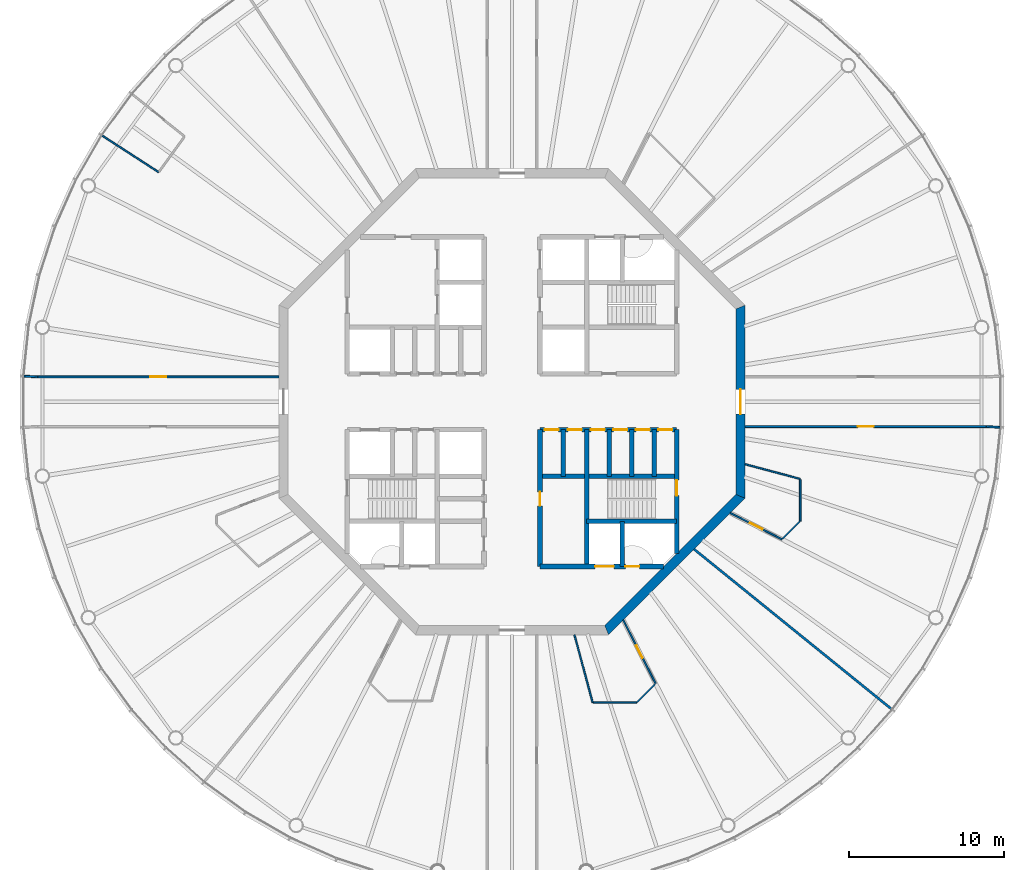
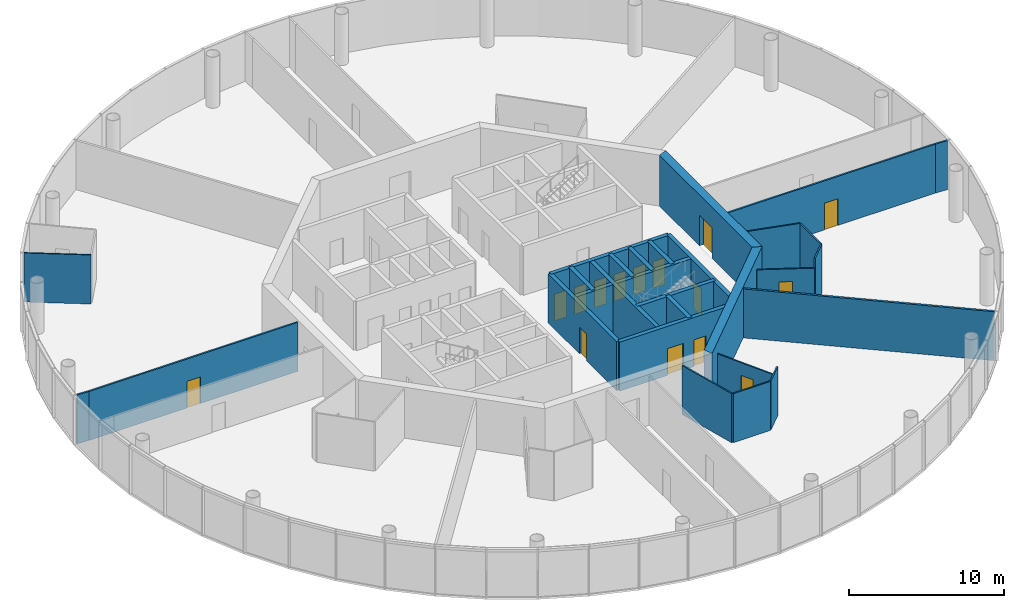
# One storey, part 4 of 13: 28 walls, 15 doors, 15 openings.
"""IFC4 building model written with IfcOpenShell, lengths in metres."""

from ifc_helpers import new_model, si_unit, direction, frame, frame_2d, origin, place, context, subcontext, project, spatial, polyline, rectangle, outline, extrude, material, layer, layer_set, type_object, element, fill, save


model = new_model("IFC4")

# Units and contexts
model_context = context("Model", 3, precision=1e-05, world=origin(), true_north=direction((0.0, 1.0)))
body_context = subcontext(model_context, "Body", "Model", "MODEL_VIEW")
ifc_project = project(units=[si_unit("LENGTHUNIT", "METRE"), si_unit("AREAUNIT", "SQUARE_METRE"), si_unit("VOLUMEUNIT", "CUBIC_METRE"), si_unit("PLANEANGLEUNIT", "RADIAN"), si_unit("MASSUNIT", "GRAM", prefix="KILO")], contexts=[model_context])

# Site, building, storey
site_placement = place(None, origin())
site = spatial("IfcSite", under=ifc_project, at=site_placement, CompositionType="ELEMENT")
building_placement = place(site_placement, origin())
building = spatial("IfcBuilding", under=site, at=building_placement, Name="Entoto Ring Tower", CompositionType="ELEMENT")
storey_placement = place(building_placement, frame((0.0, 0.0, 360.0)))
storey = spatial("IfcBuildingStorey", under=building, at=storey_placement, Name="L83", CompositionType="ELEMENT", Elevation=360.0)

# Wall, opening, door
ifc_material_1 = material(Name="Concrete C40/50", Category="concrete")
ifc_layer_1 = layer(ifc_material_1, 0.300048828125)
ifc_layer_set_1 = layer_set([ifc_layer_1], Name="Concrete C40/50")
wall_type_1 = type_object("IfcWallType", Name="Core enclosure wall 300 mm reinforced concrete", PredefinedType="SOLIDWALL", material=ifc_layer_set_1)
wall_1_placement = place(storey_placement, frame((100.60009765625, 70.2353515625, 0.0), z_axis=(0.0, 0.0, 1.0), x_axis=(0.0, 1.0, 0.0)))
wall_1 = element("IfcWall", 1, at=wall_1_placement, inside=storey, type_object=wall_type_1, Name="wall-L83-001", PredefinedType="SOLIDWALL", context=body_context, shape_type="SweptSolid", body=[
    extrude(rectangle(XDim=7.964599609375, YDim=0.300048828125, at=frame_2d((3.982421875, 0.0))), origin(), (0.0, 0.0, 1.0), 3.85009765625),
])
opening_1_placement = place(wall_1_placement, frame((3.714599609375, 0.0, 0.0)))
opening_1 = element("IfcOpeningElement", 2, at=opening_1_placement, cuts=wall_1, Name="Opening K-31", PredefinedType="OPENING", context=body_context, shape_type="SweptSolid", body=[
    extrude(rectangle(XDim=1.0, YDim=2.10009765625, at=frame_2d((0.5, 1.050048828125))), frame((0.0, 0.16015625, 0.0), z_axis=(0.0, -1.0, 0.0), x_axis=(1.0, 0.0, 0.0)), (0.0, 0.0, 1.0), 0.320068359375),
])
ifc_material_2 = material(Name="Steel door leaf, fire rated", Category="steel")
ifc_layer_2 = layer(ifc_material_2, 0.050048828125)
ifc_layer_set_2 = layer_set([ifc_layer_2], Name="Steel door leaf, fire rated")
door_type_1 = type_object("IfcDoorType", Name="Fire door FD60 1000 x 2100 single leaf", OperationType="NOTDEFINED", PredefinedType="DOOR", material=ifc_layer_set_2)
door_1_placement = place(opening_1_placement, origin())
door_1 = element("IfcDoor", 3, at=door_1_placement, inside=storey, type_object=door_type_1, Name="Door K-31", OperationType="SINGLE_SWING_RIGHT", OverallHeight=2.10009765625, OverallWidth=1.0, PredefinedType="DOOR", context=body_context, shape_type="SweptSolid", body=[
    extrude(rectangle(XDim=1.0, YDim=2.10009765625, at=frame_2d((0.5, 1.050048828125))), frame((0.0, 0.02490234375, 0.0), z_axis=(0.0, -1.0, 0.0), x_axis=(1.0, 0.0, 0.0)), (0.0, 0.0, 1.0), 0.050048828125),
])
fill(opening_1, door_1)

# Walls
for number, where, z_axis, x_axis, name in (
    (4, (99.14990234375, 75.199951171875, 0.0), (0.0, 0.0, 1.0), (0.0, 1.0, 0.0), "wall-L83-003"),
    (5, (97.699951171875, 75.199951171875, 0.0), (0.0, 0.0, 1.0), (0.0, 1.0, 0.0), "wall-L83-004"),
):
    element("IfcWall", number, at=place(storey_placement, frame(where, z_axis=z_axis, x_axis=x_axis)), inside=storey, type_object=wall_type_1, Name=name, PredefinedType="SOLIDWALL", context=body_context, shape_type="SweptSolid", body=[
        extrude(rectangle(XDim=3.0, YDim=0.300048828125, at=frame_2d((1.5, 0.0))), origin(), (0.0, 0.0, 1.0), 3.85009765625),
    ])
wall_2_placement = place(storey_placement, frame((97.10009765625, 69.39990234375, 0.0), z_axis=(0.0, 0.0, 1.0), x_axis=(0.0, 1.0, 0.0)))
element("IfcWall", 6, at=wall_2_placement, inside=storey, type_object=wall_type_1, Name="wall-L83-005", PredefinedType="SOLIDWALL", context=body_context, shape_type="SweptSolid", body=[
    extrude(rectangle(XDim=2.900146484375, YDim=0.300048828125, at=frame_2d((1.4501953125, 0.0))), origin(), (0.0, 0.0, 1.0), 3.85009765625),
])
wall_3_placement = place(storey_placement, frame((96.25, 75.199951171875, 0.0), z_axis=(0.0, 0.0, 1.0), x_axis=(0.0, 1.0, 0.0)))
element("IfcWall", 7, at=wall_3_placement, inside=storey, type_object=wall_type_1, Name="wall-L83-007", PredefinedType="SOLIDWALL", context=body_context, shape_type="SweptSolid", body=[
    extrude(rectangle(XDim=3.0, YDim=0.300048828125, at=frame_2d((1.5, 0.0))), origin(), (0.0, 0.0, 1.0), 3.85009765625),
])
wall_4_placement = place(storey_placement, frame((94.800048828125, 69.39990234375, 0.0), z_axis=(0.0, 0.0, 1.0), x_axis=(0.0, 1.0, 0.0)))
element("IfcWall", 8, at=wall_4_placement, inside=storey, type_object=wall_type_1, Name="wall-L83-008", PredefinedType="SOLIDWALL", context=body_context, shape_type="SweptSolid", body=[
    extrude(rectangle(XDim=8.800048828125, YDim=0.300048828125, at=frame_2d((4.39990234375, 0.0))), origin(), (0.0, 0.0, 1.0), 3.85009765625),
])
wall_5_placement = place(storey_placement, frame((93.300048828125, 75.199951171875, 0.0), z_axis=(0.0, 0.0, 1.0), x_axis=(0.0, 1.0, 0.0)))
element("IfcWall", 9, at=wall_5_placement, inside=storey, type_object=wall_type_1, Name="wall-L83-010", PredefinedType="SOLIDWALL", context=body_context, shape_type="SweptSolid", body=[
    extrude(rectangle(XDim=3.0, YDim=0.300048828125, at=frame_2d((1.5, 0.0))), origin(), (0.0, 0.0, 1.0), 3.85009765625),
])

# Wall, opening, door
wall_6_placement = place(storey_placement, frame((91.800048828125, 69.39990234375, 0.0), z_axis=(0.0, 0.0, 1.0), x_axis=(0.0, 1.0, 0.0)))
wall_6 = element("IfcWall", 10, at=wall_6_placement, inside=storey, type_object=wall_type_1, Name="wall-L83-011", PredefinedType="SOLIDWALL", context=body_context, shape_type="SweptSolid", body=[
    extrude(rectangle(XDim=8.800048828125, YDim=0.300048828125, at=frame_2d((4.39990234375, 0.0))), origin(), (0.0, 0.0, 1.0), 3.85009765625),
])
opening_2_placement = place(wall_6_placement, frame((3.89990234375, 0.0, 0.0)))
opening_2 = element("IfcOpeningElement", 11, at=opening_2_placement, cuts=wall_6, Name="Opening K-21", PredefinedType="OPENING", context=body_context, shape_type="SweptSolid", body=[
    extrude(rectangle(XDim=0.89990234375, YDim=2.10009765625, at=frame_2d((0.449951171875, 1.050048828125))), frame((0.0, 0.16015625, 0.0), z_axis=(0.0, -1.0, 0.0), x_axis=(1.0, 0.0, 0.0)), (0.0, 0.0, 1.0), 0.320068359375),
])
ifc_material_3 = material(Name="Steel door leaf, fire rated", Category="steel")
ifc_layer_3 = layer(ifc_material_3, 0.050048828125)
ifc_layer_set_3 = layer_set([ifc_layer_3], Name="Steel door leaf, fire rated")
door_type_2 = type_object("IfcDoorType", Name="Core door 900 x 2100 single leaf", OperationType="NOTDEFINED", PredefinedType="DOOR", material=ifc_layer_set_3)
door_2_placement = place(opening_2_placement, frame((0.89990234375, 0.0, 0.0), z_axis=(0.0, 0.0, 1.0), x_axis=(-1.0, 0.0, 0.0)))
door_2 = element("IfcDoor", 12, at=door_2_placement, inside=storey, type_object=door_type_2, Name="Door K-21", OperationType="SINGLE_SWING_LEFT", OverallHeight=2.10009765625, OverallWidth=0.89990234375, PredefinedType="DOOR", context=body_context, shape_type="SweptSolid", body=[
    extrude(rectangle(XDim=0.89990234375, YDim=2.10009765625, at=frame_2d((0.449951171875, 1.050048828125))), frame((0.0, 0.02490234375, 0.0), z_axis=(0.0, -1.0, 0.0), x_axis=(1.0, 0.0, 0.0)), (0.0, 0.0, 1.0), 0.050048828125),
])
fill(opening_2, door_2)

# Wall, openings, doors
wall_7_placement = place(storey_placement, frame((91.800048828125, 69.39990234375, 0.0), z_axis=(0.0, 0.0, 1.0), x_axis=(1.0, 0.0, 0.0)))
wall_7 = element("IfcWall", 13, at=wall_7_placement, inside=storey, type_object=wall_type_1, Name="wall-L83-026", PredefinedType="SOLIDWALL", context=body_context, shape_type="SweptSolid", body=[
    extrude(rectangle(XDim=7.964599609375, YDim=0.300048828125, at=frame_2d((3.982421875, 0.0))), origin(), (0.0, 0.0, 1.0), 3.85009765625),
])
opening_3_placement = place(wall_7_placement, frame((3.550048828125, 0.0, 0.0)))
opening_3 = element("IfcOpeningElement", 14, at=opening_3_placement, cuts=wall_7, Name="Opening LD", PredefinedType="OPENING", context=body_context, shape_type="SweptSolid", body=[
    extrude(rectangle(XDim=1.199951171875, YDim=2.10009765625, at=frame_2d((0.60009765625, 1.050048828125))), frame((0.0, 0.16015625, 0.0), z_axis=(0.0, -1.0, 0.0), x_axis=(1.0, 0.0, 0.0)), (0.0, 0.0, 1.0), 0.320068359375),
])
opening_4_placement = place(wall_7_placement, frame((5.5, 0.0, 0.0)))
opening_4 = element("IfcOpeningElement", 15, at=opening_4_placement, cuts=wall_7, Name="Opening K-34", PredefinedType="OPENING", context=body_context, shape_type="SweptSolid", body=[
    extrude(rectangle(XDim=0.89990234375, YDim=2.10009765625, at=frame_2d((0.449951171875, 1.050048828125))), frame((0.0, 0.16015625, 0.0), z_axis=(0.0, -1.0, 0.0), x_axis=(1.0, 0.0, 0.0)), (0.0, 0.0, 1.0), 0.320068359375),
])
ifc_material_4 = material(Name="Steel and glass door leaf", Category="steel")
ifc_layer_4 = layer(ifc_material_4, 0.050048828125)
ifc_layer_set_4 = layer_set([ifc_layer_4], Name="Steel and glass door leaf")
door_type_3 = type_object("IfcDoorType", Name="Landing door 1200 x 2100 sliding", OperationType="DOUBLE_DOOR_SLIDING", PredefinedType="DOOR", material=ifc_layer_set_4)
door_3_placement = place(opening_3_placement, origin())
door_3 = element("IfcDoor", 16, at=door_3_placement, inside=storey, type_object=door_type_3, Name="Landing door LB2-HR", OperationType="SLIDING_TO_RIGHT", OverallHeight=2.10009765625, OverallWidth=1.199951171875, PredefinedType="DOOR", context=body_context, shape_type="SweptSolid", body=[
    extrude(rectangle(XDim=1.199951171875, YDim=2.10009765625, at=frame_2d((0.60009765625, 1.050048828125))), frame((0.0, 0.02490234375, 0.0), z_axis=(0.0, -1.0, 0.0), x_axis=(1.0, 0.0, 0.0)), (0.0, 0.0, 1.0), 0.050048828125),
])
fill(opening_3, door_3)
ifc_material_5 = material(Name="Steel door leaf, fire rated", Category="steel")
ifc_layer_5 = layer(ifc_material_5, 0.050048828125)
ifc_layer_set_5 = layer_set([ifc_layer_5], Name="Steel door leaf, fire rated")
door_type_4 = type_object("IfcDoorType", Name="Riser door FD60 900 x 2100 single leaf", OperationType="NOTDEFINED", PredefinedType="DOOR", material=ifc_layer_set_5)
door_4_placement = place(opening_4_placement, origin())
door_4 = element("IfcDoor", 17, at=door_4_placement, inside=storey, type_object=door_type_4, Name="Door K-34", OperationType="SINGLE_SWING_LEFT", OverallHeight=2.10009765625, OverallWidth=0.89990234375, PredefinedType="DOOR", context=body_context, shape_type="SweptSolid", body=[
    extrude(rectangle(XDim=0.89990234375, YDim=2.10009765625, at=frame_2d((0.449951171875, 1.050048828125))), frame((0.0, 0.02490234375, 0.0), z_axis=(0.0, -1.0, 0.0), x_axis=(1.0, 0.0, 0.0)), (0.0, 0.0, 1.0), 0.050048828125),
])
fill(opening_4, door_4)

# Walls
wall_8_placement = place(storey_placement, frame((94.800048828125, 72.300048828125, 0.0), z_axis=(0.0, 0.0, 1.0), x_axis=(1.0, 0.0, 0.0)))
element("IfcWall", 18, at=wall_8_placement, inside=storey, type_object=wall_type_1, Name="wall-L83-028", PredefinedType="SOLIDWALL", context=body_context, shape_type="SweptSolid", body=[
    extrude(rectangle(XDim=5.800048828125, YDim=0.300048828125, at=frame_2d((2.89990234375, 0.0))), origin(), (0.0, 0.0, 1.0), 3.85009765625),
])
wall_9_placement = place(storey_placement, frame((91.800048828125, 75.199951171875, 0.0), z_axis=(0.0, 0.0, 1.0), x_axis=(1.0, 0.0, 0.0)))
element("IfcWall", 19, at=wall_9_placement, inside=storey, type_object=wall_type_1, Name="wall-L83-031", PredefinedType="SOLIDWALL", context=body_context, shape_type="SweptSolid", body=[
    extrude(rectangle(XDim=8.800048828125, YDim=0.300048828125, at=frame_2d((4.39990234375, 0.0))), origin(), (0.0, 0.0, 1.0), 3.85009765625),
])

# Wall, openings, doors
wall_10_placement = place(storey_placement, frame((91.800048828125, 78.199951171875, 0.0), z_axis=(0.0, 0.0, 1.0), x_axis=(1.0, 0.0, 0.0)))
wall_10 = element("IfcWall", 20, at=wall_10_placement, inside=storey, type_object=wall_type_1, Name="wall-L83-033", PredefinedType="SOLIDWALL", context=body_context, shape_type="SweptSolid", body=[
    extrude(rectangle(XDim=8.800048828125, YDim=0.300048828125, at=frame_2d((4.39990234375, 0.0))), origin(), (0.0, 0.0, 1.0), 3.85009765625),
])
opening_5_placement = place(wall_10_placement, frame((3.27490234375, 0.0, 0.0)))
opening_5 = element("IfcOpeningElement", 21, at=opening_5_placement, cuts=wall_10, Name="Opening K-14", PredefinedType="OPENING", context=body_context, shape_type="SweptSolid", body=[
    extrude(rectangle(XDim=0.89990234375, YDim=2.10009765625, at=frame_2d((0.449951171875, 1.050048828125))), frame((0.0, 0.16015625, 0.0), z_axis=(0.0, -1.0, 0.0), x_axis=(1.0, 0.0, 0.0)), (0.0, 0.0, 1.0), 0.320068359375),
])
opening_6_placement = place(wall_10_placement, frame((4.72509765625, 0.0, 0.0)))
opening_6 = element("IfcOpeningElement", 22, at=opening_6_placement, cuts=wall_10, Name="Opening K-15", PredefinedType="OPENING", context=body_context, shape_type="SweptSolid", body=[
    extrude(rectangle(XDim=0.89990234375, YDim=2.10009765625, at=frame_2d((0.449951171875, 1.050048828125))), frame((0.0, 0.16015625, 0.0), z_axis=(0.0, -1.0, 0.0), x_axis=(1.0, 0.0, 0.0)), (0.0, 0.0, 1.0), 0.320068359375),
])
opening_7_placement = place(wall_10_placement, frame((6.175048828125, 0.0, 0.0)))
opening_7 = element("IfcOpeningElement", 23, at=opening_7_placement, cuts=wall_10, Name="Opening K-16", PredefinedType="OPENING", context=body_context, shape_type="SweptSolid", body=[
    extrude(rectangle(XDim=0.89990234375, YDim=2.10009765625, at=frame_2d((0.449951171875, 1.050048828125))), frame((0.0, 0.16015625, 0.0), z_axis=(0.0, -1.0, 0.0), x_axis=(1.0, 0.0, 0.0)), (0.0, 0.0, 1.0), 0.320068359375),
])
opening_8_placement = place(wall_10_placement, frame((7.625, 0.0, 0.0)))
opening_8 = element("IfcOpeningElement", 24, at=opening_8_placement, cuts=wall_10, Name="Opening K-57", PredefinedType="OPENING", context=body_context, shape_type="SweptSolid", body=[
    extrude(rectangle(XDim=0.89990234375, YDim=2.10009765625, at=frame_2d((0.449951171875, 1.050048828125))), frame((0.0, 0.16015625, 0.0), z_axis=(0.0, -1.0, 0.0), x_axis=(1.0, 0.0, 0.0)), (0.0, 0.0, 1.0), 0.320068359375),
])
opening_9_placement = place(wall_10_placement, frame((0.300048828125, 0.0, 0.0)))
opening_9 = element("IfcOpeningElement", 25, at=opening_9_placement, cuts=wall_10, Name="Opening K-79", PredefinedType="OPENING", context=body_context, shape_type="SweptSolid", body=[
    extrude(rectangle(XDim=0.89990234375, YDim=2.10009765625, at=frame_2d((0.449951171875, 1.050048828125))), frame((0.0, 0.16015625, 0.0), z_axis=(0.0, -1.0, 0.0), x_axis=(1.0, 0.0, 0.0)), (0.0, 0.0, 1.0), 0.320068359375),
])
opening_10_placement = place(wall_10_placement, frame((1.800048828125, 0.0, 0.0)))
opening_10 = element("IfcOpeningElement", 26, at=opening_10_placement, cuts=wall_10, Name="Opening K-81", PredefinedType="OPENING", context=body_context, shape_type="SweptSolid", body=[
    extrude(rectangle(XDim=0.89990234375, YDim=2.10009765625, at=frame_2d((0.449951171875, 1.050048828125))), frame((0.0, 0.16015625, 0.0), z_axis=(0.0, -1.0, 0.0), x_axis=(1.0, 0.0, 0.0)), (0.0, 0.0, 1.0), 0.320068359375),
])
door_5_placement = place(opening_5_placement, frame((0.89990234375, 0.0, 0.0), z_axis=(0.0, 0.0, 1.0), x_axis=(-1.0, 0.0, 0.0)))
door_5 = element("IfcDoor", 27, at=door_5_placement, inside=storey, type_object=door_type_2, Name="Door K-14", OperationType="SINGLE_SWING_LEFT", OverallHeight=2.10009765625, OverallWidth=0.89990234375, PredefinedType="DOOR", context=body_context, shape_type="SweptSolid", body=[
    extrude(rectangle(XDim=0.89990234375, YDim=2.10009765625, at=frame_2d((0.449951171875, 1.050048828125))), frame((0.0, 0.02490234375, 0.0), z_axis=(0.0, -1.0, 0.0), x_axis=(1.0, 0.0, 0.0)), (0.0, 0.0, 1.0), 0.050048828125),
])
fill(opening_5, door_5)
door_6_placement = place(opening_6_placement, frame((0.89990234375, 0.0, 0.0), z_axis=(0.0, 0.0, 1.0), x_axis=(-1.0, 0.0, 0.0)))
door_6 = element("IfcDoor", 28, at=door_6_placement, inside=storey, type_object=door_type_2, Name="Door K-15", OperationType="SINGLE_SWING_RIGHT", OverallHeight=2.10009765625, OverallWidth=0.89990234375, PredefinedType="DOOR", context=body_context, shape_type="SweptSolid", body=[
    extrude(rectangle(XDim=0.89990234375, YDim=2.10009765625, at=frame_2d((0.449951171875, 1.050048828125))), frame((0.0, 0.02490234375, 0.0), z_axis=(0.0, -1.0, 0.0), x_axis=(1.0, 0.0, 0.0)), (0.0, 0.0, 1.0), 0.050048828125),
])
fill(opening_6, door_6)
door_7_placement = place(opening_7_placement, frame((0.89990234375, 0.0, 0.0), z_axis=(0.0, 0.0, 1.0), x_axis=(-1.0, 0.0, 0.0)))
door_7 = element("IfcDoor", 29, at=door_7_placement, inside=storey, type_object=door_type_2, Name="Door K-16", OperationType="SINGLE_SWING_RIGHT", OverallHeight=2.10009765625, OverallWidth=0.89990234375, PredefinedType="DOOR", context=body_context, shape_type="SweptSolid", body=[
    extrude(rectangle(XDim=0.89990234375, YDim=2.10009765625, at=frame_2d((0.449951171875, 1.050048828125))), frame((0.0, 0.02490234375, 0.0), z_axis=(0.0, -1.0, 0.0), x_axis=(1.0, 0.0, 0.0)), (0.0, 0.0, 1.0), 0.050048828125),
])
fill(opening_7, door_7)
door_8_placement = place(opening_8_placement, frame((0.89990234375, 0.0, 0.0), z_axis=(0.0, 0.0, 1.0), x_axis=(-1.0, 0.0, 0.0)))
door_8 = element("IfcDoor", 30, at=door_8_placement, inside=storey, type_object=door_type_2, Name="Door K-57", OperationType="SINGLE_SWING_RIGHT", OverallHeight=2.10009765625, OverallWidth=0.89990234375, PredefinedType="DOOR", context=body_context, shape_type="SweptSolid", body=[
    extrude(rectangle(XDim=0.89990234375, YDim=2.10009765625, at=frame_2d((0.449951171875, 1.050048828125))), frame((0.0, 0.02490234375, 0.0), z_axis=(0.0, -1.0, 0.0), x_axis=(1.0, 0.0, 0.0)), (0.0, 0.0, 1.0), 0.050048828125),
])
fill(opening_8, door_8)
door_9_placement = place(opening_9_placement, frame((0.89990234375, 0.0, 0.0), z_axis=(0.0, 0.0, 1.0), x_axis=(-1.0, 0.0, 0.0)))
door_9 = element("IfcDoor", 31, at=door_9_placement, inside=storey, type_object=door_type_2, Name="Door K-79", OperationType="SINGLE_SWING_RIGHT", OverallHeight=2.10009765625, OverallWidth=0.89990234375, PredefinedType="DOOR", context=body_context, shape_type="SweptSolid", body=[
    extrude(rectangle(XDim=0.89990234375, YDim=2.10009765625, at=frame_2d((0.449951171875, 1.050048828125))), frame((0.0, 0.02490234375, 0.0), z_axis=(0.0, -1.0, 0.0), x_axis=(1.0, 0.0, 0.0)), (0.0, 0.0, 1.0), 0.050048828125),
])
fill(opening_9, door_9)
door_10_placement = place(opening_10_placement, frame((0.89990234375, 0.0, 0.0), z_axis=(0.0, 0.0, 1.0), x_axis=(-1.0, 0.0, 0.0)))
door_10 = element("IfcDoor", 32, at=door_10_placement, inside=storey, type_object=door_type_2, Name="Door K-81", OperationType="SINGLE_SWING_RIGHT", OverallHeight=2.10009765625, OverallWidth=0.89990234375, PredefinedType="DOOR", context=body_context, shape_type="SweptSolid", body=[
    extrude(rectangle(XDim=0.89990234375, YDim=2.10009765625, at=frame_2d((0.449951171875, 1.050048828125))), frame((0.0, 0.02490234375, 0.0), z_axis=(0.0, -1.0, 0.0), x_axis=(1.0, 0.0, 0.0)), (0.0, 0.0, 1.0), 0.050048828125),
])
fill(opening_10, door_10)

# Wall, opening, door
ifc_material_6 = material(Name="Concrete C40/50", Category="concrete")
ifc_layer_6 = layer(ifc_material_6, 0.60009765625)
ifc_layer_set_6 = layer_set([ifc_layer_6], Name="Concrete C40/50")
wall_type_2 = type_object("IfcWallType", Name="Core shear wall 600 mm reinforced concrete C40/50", PredefinedType="SHEAR", material=ifc_layer_set_6)
wall_11_placement = place(storey_placement, frame((104.699951171875, 73.9111328125, 0.0), z_axis=(0.0, 0.0, 1.0), x_axis=(0.0, 1.0, 0.0)))
wall_11 = element("IfcWall", 33, at=wall_11_placement, inside=storey, type_object=wall_type_2, Name="wall-L83-core-0", PredefinedType="SHEAR", context=body_context, shape_type="SweptSolid", body=[
    extrude(outline(polyline([(-0.124267578125, -0.300048828125), (12.302001953125, -0.300048828125), (12.053466796875, 0.300048828125), (0.124267578125, 0.300048828125), (-0.124267578125, -0.300048828125)])), origin(), (0.0, 0.0, 1.0), 4.0),
])
opening_11_placement = place(wall_11_placement, frame((5.288818359375, 0.0, 0.0)))
opening_11 = element("IfcOpeningElement", 34, at=opening_11_placement, cuts=wall_11, Name="Opening K-01", PredefinedType="OPENING", context=body_context, shape_type="SweptSolid", body=[
    extrude(rectangle(XDim=1.60009765625, YDim=2.39990234375, at=frame_2d((0.800048828125, 1.199951171875))), frame((0.0, 0.31005859375, 0.0), z_axis=(0.0, -1.0, 0.0), x_axis=(1.0, 0.0, 0.0)), (0.0, 0.0, 1.0), 0.6201171875),
])
ifc_material_7 = material(Name="Steel door leaf, fire rated", Category="steel")
ifc_layer_7 = layer(ifc_material_7, 0.050048828125)
ifc_layer_set_7 = layer_set([ifc_layer_7], Name="Steel door leaf, fire rated")
door_type_5 = type_object("IfcDoorType", Name="Entrance door FD60 1600 x 2400 double leaf", OperationType="DOUBLE_DOOR_SINGLE_SWING", PredefinedType="DOOR", material=ifc_layer_set_7)
door_11_placement = place(opening_11_placement, origin())
door_11 = element("IfcDoor", 35, at=door_11_placement, inside=storey, type_object=door_type_5, Name="Entrance door K-01", OperationType="DOUBLE_DOOR_SINGLE_SWING", OverallHeight=2.39990234375, OverallWidth=1.60009765625, PredefinedType="DOOR", context=body_context, shape_type="SweptSolid", body=[
    extrude(rectangle(XDim=1.60009765625, YDim=2.39990234375, at=frame_2d((0.800048828125, 1.199951171875))), frame((0.0, 0.02490234375, 0.0), z_axis=(0.0, -1.0, 0.0), x_axis=(1.0, 0.0, 0.0)), (0.0, 0.0, 1.0), 0.050048828125),
])
fill(opening_11, door_11)

# Wall
wall_12_placement = place(storey_placement, frame((96.0888671875, 65.300048828125, 0.0), z_axis=(0.0, 0.0, 1.0), x_axis=(0.707106781187, 0.707106781187, 0.0)))
element("IfcWall", 36, at=wall_12_placement, inside=storey, type_object=wall_type_2, Name="wall-L83-core-7", PredefinedType="SHEAR", context=body_context, shape_type="SweptSolid", body=[
    extrude(outline(polyline([(-0.124267578125, -0.300048828125), (12.30224609375, -0.300048828125), (12.0537109375, 0.300048828125), (0.124267578125, 0.300048828125), (-0.124267578125, -0.300048828125)])), origin(), (0.0, 0.0, 1.0), 4.0),
])

# Wall, opening, door
ifc_material_8 = material(Name="Fire-resisting plasterboard on steel studs", Category="steel")
ifc_layer_8 = layer(ifc_material_8, 0.125)
ifc_layer_set_8 = layer_set([ifc_layer_8], Name="Fire-resisting plasterboard on steel studs")
wall_type_3 = type_object("IfcWallType", Name="Corridor wall 125 mm one-hour plasterboard on steel studs", PredefinedType="PARTITIONING", material=ifc_layer_set_8)
wall_13_placement = place(storey_placement, frame((59.47021484375, 81.60009765625, 0.0), z_axis=(0.0, 0.0, 1.0), x_axis=(1.0, 0.0, 0.0)))
wall_13 = element("IfcWall", 37, at=wall_13_placement, inside=storey, type_object=wall_type_3, Name="partition-L83-002", PredefinedType="PARTITIONING", context=body_context, shape_type="SweptSolid", body=[
    extrude(rectangle(XDim=15.52978515625, YDim=0.125, at=frame_2d((7.764892578125, 0.0))), origin(), (0.0, 0.0, 1.0), 3.85009765625),
])
opening_12_placement = place(wall_13_placement, frame((7.264892578125, 0.0, 0.0)))
opening_12 = element("IfcOpeningElement", 38, at=opening_12_placement, cuts=wall_13, Name="Opening A36-D05", PredefinedType="OPENING", context=body_context, shape_type="SweptSolid", body=[
    extrude(rectangle(XDim=1.0, YDim=2.10009765625, at=frame_2d((0.5, 1.050048828125))), frame((0.0, 0.072509765625, 0.0), z_axis=(0.0, -1.0, 0.0), x_axis=(1.0, 0.0, 0.0)), (0.0, 0.0, 1.0), 0.14501953125),
])
ifc_material_9 = material(Name="Fire-resisting timber door set", Category="wood")
door_type_6 = type_object("IfcDoorType", Name="Door 1000 x 2100 single leaf FD30S fire door", OperationType="NOTDEFINED", PredefinedType="DOOR", material=ifc_material_9)
door_12_placement = place(opening_12_placement, origin())
door_12 = element("IfcDoor", 39, at=door_12_placement, inside=storey, type_object=door_type_6, Name="Door A36-D05", OperationType="SINGLE_SWING_RIGHT", OverallHeight=2.10009765625, OverallWidth=1.0, PredefinedType="DOOR", context=body_context, shape_type="SweptSolid", body=[
    extrude(rectangle(XDim=1.0, YDim=2.10009765625, at=frame_2d((0.5, 1.050048828125))), frame((0.0, 0.02490234375, 0.0), z_axis=(0.0, -1.0, 0.0), x_axis=(1.0, 0.0, 0.0)), (0.0, 0.0, 1.0), 0.050048828125),
])
fill(opening_12, door_12)

wall_14_placement = place(storey_placement, frame((105.0, 78.39990234375, 0.0), z_axis=(0.0, 0.0, 1.0), x_axis=(1.0, 0.0, 0.0)))
wall_14 = element("IfcWall", 40, at=wall_14_placement, inside=storey, type_object=wall_type_3, Name="partition-L83-007", PredefinedType="PARTITIONING", context=body_context, shape_type="SweptSolid", body=[
    extrude(rectangle(XDim=15.52978515625, YDim=0.125, at=frame_2d((7.764892578125, 0.0))), origin(), (0.0, 0.0, 1.0), 3.85009765625),
])
opening_13_placement = place(wall_14_placement, frame((7.264892578125, 0.0, 0.0)))
opening_13 = element("IfcOpeningElement", 41, at=opening_13_placement, cuts=wall_14, Name="Opening A36-D13", PredefinedType="OPENING", context=body_context, shape_type="SweptSolid", body=[
    extrude(rectangle(XDim=1.0, YDim=2.10009765625, at=frame_2d((0.5, 1.050048828125))), frame((0.0, 0.072509765625, 0.0), z_axis=(0.0, -1.0, 0.0), x_axis=(1.0, 0.0, 0.0)), (0.0, 0.0, 1.0), 0.14501953125),
])
door_13_placement = place(opening_13_placement, frame((1.0, 0.0, 0.0), z_axis=(0.0, 0.0, 1.0), x_axis=(-1.0, 0.0, 0.0)))
door_13 = element("IfcDoor", 42, at=door_13_placement, inside=storey, type_object=door_type_6, Name="Door A36-D13", OperationType="SINGLE_SWING_RIGHT", OverallHeight=2.10009765625, OverallWidth=1.0, PredefinedType="DOOR", context=body_context, shape_type="SweptSolid", body=[
    extrude(rectangle(XDim=1.0, YDim=2.10009765625, at=frame_2d((0.5, 1.050048828125))), frame((0.0, 0.02490234375, 0.0), z_axis=(0.0, -1.0, 0.0), x_axis=(1.0, 0.0, 0.0)), (0.0, 0.0, 1.0), 0.050048828125),
])
fill(opening_13, door_13)

# Walls
for number, where, z_axis, x_axis, name in (
    (43, (59.466796875, 81.60009765625, 0.0), (0.0, 0.0, 1.0), (-0.998620946423, 0.052499574911, 0.0), "partition-L83-010"),
    (44, (121.39697265625, 78.3544921875, 0.0), (0.0, 0.0, 1.0), (-0.998620946423, 0.052499574911, 0.0), "partition-L83-016"),
):
    element("IfcWall", number, at=place(storey_placement, frame(where, z_axis=z_axis, x_axis=x_axis)), inside=storey, type_object=wall_type_3, Name=name, PredefinedType="PARTITIONING", context=body_context, shape_type="SweptSolid", body=[
        extrude(rectangle(XDim=0.864990234375, YDim=0.125, at=frame_2d((0.4326171875, 0.0))), origin(), (0.0, 0.0, 1.0), 3.85009765625),
    ])
ifc_material_10 = material(Name="Plasterboard on steel studs", Category="steel")
ifc_layer_9 = layer(ifc_material_10, 0.10009765625)
ifc_layer_set_9 = layer_set([ifc_layer_9], Name="Plasterboard on steel studs")
wall_type_4 = type_object("IfcWallType", Name="Partition 100 mm plasterboard on steel studs", PredefinedType="PARTITIONING", material=ifc_layer_set_9)
wall_15_placement = place(storey_placement, frame((95.1875, 60.639892578125, 0.0), z_axis=(0.0, 0.0, 1.0), x_axis=(-0.25880367254, 0.965929945224, 0.0)))
element("IfcWall", 45, at=wall_15_placement, inside=storey, type_object=wall_type_4, Name="partition-L83-023", PredefinedType="PARTITIONING", context=body_context, shape_type="SweptSolid", body=[
    extrude(rectangle(XDim=4.513916015625, YDim=0.10009765625, at=frame_2d((2.2568359375, 0.0))), origin(), (0.0, 0.0, 1.0), 3.85009765625),
])
wall_16_placement = place(storey_placement, frame((67.25537109375, 94.7705078125, 0.0), z_axis=(0.0, 0.0, 1.0), x_axis=(-0.838666904921, 0.544644675536, 0.0)))
element("IfcWall", 46, at=wall_16_placement, inside=storey, type_object=wall_type_4, Name="partition-L83-027", PredefinedType="PARTITIONING", context=body_context, shape_type="SweptSolid", body=[
    extrude(rectangle(XDim=4.3203125, YDim=0.10009765625, at=frame_2d((2.16015625, 0.0))), origin(), (0.0, 0.0, 1.0), 3.85009765625),
])
wall_17_placement = place(storey_placement, frame((108.550048828125, 75.029541015625, 0.0), z_axis=(0.0, 0.0, 1.0), x_axis=(-0.96592996475, 0.258803599661, 0.0)))
element("IfcWall", 47, at=wall_17_placement, inside=storey, type_object=wall_type_4, Name="partition-L83-032", PredefinedType="PARTITIONING", context=body_context, shape_type="SweptSolid", body=[
    extrude(rectangle(XDim=3.67529296875, YDim=0.10009765625, at=frame_2d((1.837646484375, 0.0))), origin(), (0.0, 0.0, 1.0), 3.85009765625),
])
wall_18_placement = place(storey_placement, frame((95.235595703125, 60.639892578125, 0.0), z_axis=(0.0, 0.0, 1.0), x_axis=(1.0, 0.0, 0.0)))
element("IfcWall", 48, at=wall_18_placement, inside=storey, type_object=wall_type_4, Name="partition-L83-036", PredefinedType="PARTITIONING", context=body_context, shape_type="SweptSolid", body=[
    extrude(rectangle(XDim=2.78369140625, YDim=0.10009765625, at=frame_2d((1.391845703125, 0.0))), origin(), (0.0, 0.0, 1.0), 3.85009765625),
])
wall_19_placement = place(storey_placement, frame((108.550048828125, 72.31640625, 0.0), z_axis=(0.0, 0.0, 1.0), x_axis=(0.0, 1.0, 0.0)))
element("IfcWall", 49, at=wall_19_placement, inside=storey, type_object=wall_type_4, Name="partition-L83-038", PredefinedType="PARTITIONING", context=body_context, shape_type="SweptSolid", body=[
    extrude(rectangle(XDim=2.6650390625, YDim=0.10009765625, at=frame_2d((1.33251953125, 0.0))), origin(), (0.0, 0.0, 1.0), 3.85009765625),
])
wall_20_placement = place(storey_placement, frame((98.0439453125, 60.664794921875, 0.0), z_axis=(0.0, 0.0, 1.0), x_axis=(0.707106781187, 0.707106781187, 0.0)))
element("IfcWall", 50, at=wall_20_placement, inside=storey, type_object=wall_type_4, Name="partition-L83-039", PredefinedType="PARTITIONING", context=body_context, shape_type="SweptSolid", body=[
    extrude(rectangle(XDim=1.646240234375, YDim=0.10009765625, at=frame_2d((0.8232421875, 0.0))), origin(), (0.0, 0.0, 1.0), 3.85009765625),
])
wall_21_placement = place(storey_placement, frame((107.412353515625, 71.1787109375, 0.0), z_axis=(0.0, 0.0, 1.0), x_axis=(0.707106781187, 0.707106781187, 0.0)))
element("IfcWall", 51, at=wall_21_placement, inside=storey, type_object=wall_type_4, Name="partition-L83-041", PredefinedType="PARTITIONING", context=body_context, shape_type="SweptSolid", body=[
    extrude(rectangle(XDim=1.57373046875, YDim=0.10009765625, at=frame_2d((0.786865234375, 0.0))), origin(), (0.0, 0.0, 1.0), 3.85009765625),
])

# Wall, opening, door
ifc_material_11 = material(Name="Plasterboard on steel studs", Category="steel")
ifc_layer_10 = layer(ifc_material_11, 0.10009765625)
ifc_layer_set_10 = layer_set([ifc_layer_10], Name="Plasterboard on steel studs")
wall_type_5 = type_object("IfcWallType", Name="Partition 100 mm plasterboard on steel studs, 3097 mm high", PredefinedType="PARTITIONING", material=ifc_layer_set_10)
wall_22_placement = place(storey_placement, frame((99.24169921875, 61.8623046875, 0.0), z_axis=(0.0, 0.0, 1.0), x_axis=(-0.453995983441, 0.891003730082, 0.0)))
wall_22 = element("IfcWall", 52, at=wall_22_placement, inside=storey, type_object=wall_type_5, Name="partition-L83-022", PredefinedType="PARTITIONING", context=body_context, shape_type="SweptSolid", body=[
    extrude(rectangle(XDim=4.58447265625, YDim=0.10009765625, at=frame_2d((2.292236328125, 0.0))), origin(), (0.0, 0.0, 1.0), 3.096923828125),
])
opening_14_placement = place(wall_22_placement, frame((1.84228515625, 0.0, 0.0)))
opening_14 = element("IfcOpeningElement", 53, at=opening_14_placement, cuts=wall_22, Name="Opening A36-D12", PredefinedType="OPENING", context=body_context, shape_type="SweptSolid", body=[
    extrude(rectangle(XDim=0.89990234375, YDim=2.10009765625, at=frame_2d((0.449951171875, 1.050048828125))), frame((0.0, 0.06005859375, 0.0), z_axis=(0.0, -1.0, 0.0), x_axis=(1.0, 0.0, 0.0)), (0.0, 0.0, 1.0), 0.1201171875),
])
ifc_material_12 = material(Name="Veneered timber door leaf in timber frame", Category="wood")
door_type_7 = type_object("IfcDoorType", Name="Door 900 x 2100 single leaf timber veneer", OperationType="NOTDEFINED", PredefinedType="DOOR", material=ifc_material_12)
door_14_placement = place(opening_14_placement, origin())
door_14 = element("IfcDoor", 54, at=door_14_placement, inside=storey, type_object=door_type_7, Name="Door A36-D12", OperationType="SINGLE_SWING_RIGHT", OverallHeight=2.10009765625, OverallWidth=0.89990234375, PredefinedType="DOOR", context=body_context, shape_type="SweptSolid", body=[
    extrude(rectangle(XDim=0.89990234375, YDim=2.10009765625, at=frame_2d((0.449951171875, 1.050048828125))), frame((0.0, 0.02490234375, 0.0), z_axis=(0.0, -1.0, 0.0), x_axis=(1.0, 0.0, 0.0)), (0.0, 0.0, 1.0), 0.050048828125),
])
fill(opening_14, door_14)

wall_23_placement = place(storey_placement, frame((107.378662109375, 71.14501953125, 0.0), z_axis=(0.0, 0.0, 1.0), x_axis=(-0.891000059583, 0.454003187019, 0.0)))
wall_23 = element("IfcWall", 55, at=wall_23_placement, inside=storey, type_object=wall_type_5, Name="partition-L83-031", PredefinedType="PARTITIONING", context=body_context, shape_type="SweptSolid", body=[
    extrude(rectangle(XDim=3.732421875, YDim=0.10009765625, at=frame_2d((1.8662109375, 0.0))), origin(), (0.0, 0.0, 1.0), 3.096923828125),
])
opening_15_placement = place(wall_23_placement, frame((1.416259765625, 0.0, 0.0)))
opening_15 = element("IfcOpeningElement", 56, at=opening_15_placement, cuts=wall_23, Name="Opening A36-D14", PredefinedType="OPENING", context=body_context, shape_type="SweptSolid", body=[
    extrude(rectangle(XDim=0.89990234375, YDim=2.10009765625, at=frame_2d((0.449951171875, 1.050048828125))), frame((0.0, 0.06005859375, 0.0), z_axis=(0.0, -1.0, 0.0), x_axis=(1.0, 0.0, 0.0)), (0.0, 0.0, 1.0), 0.1201171875),
])
door_15_placement = place(opening_15_placement, frame((0.89990234375, 0.0, 0.0), z_axis=(0.0, 0.0, 1.0), x_axis=(-1.0, 0.0, 0.0)))
door_15 = element("IfcDoor", 57, at=door_15_placement, inside=storey, type_object=door_type_7, Name="Door A36-D14", OperationType="SINGLE_SWING_LEFT", OverallHeight=2.10009765625, OverallWidth=0.89990234375, PredefinedType="DOOR", context=body_context, shape_type="SweptSolid", body=[
    extrude(rectangle(XDim=0.89990234375, YDim=2.10009765625, at=frame_2d((0.449951171875, 1.050048828125))), frame((0.0, 0.02490234375, 0.0), z_axis=(0.0, -1.0, 0.0), x_axis=(1.0, 0.0, 0.0)), (0.0, 0.0, 1.0), 0.050048828125),
])
fill(opening_15, door_15)

# Wall
ifc_material_13 = material(Name="Fire-resisting acoustic plasterboard on steel studs", Category="steel")
ifc_layer_11 = layer(ifc_material_13, 0.14990234375)
ifc_layer_set_11 = layer_set([ifc_layer_11], Name="Fire-resisting acoustic plasterboard on steel studs")
wall_type_6 = type_object("IfcWallType", Name="Party wall 150 mm one-hour acoustic plasterboard on steel studs", PredefinedType="PARTITIONING", material=ifc_layer_set_11)
wall_24_placement = place(storey_placement, frame((114.43359375, 60.214111328125, 0.0), z_axis=(0.0, 0.0, 1.0), x_axis=(-0.777143368827, 0.629323592667, 0.0)))
element("IfcWall", 58, at=wall_24_placement, inside=storey, type_object=wall_type_6, Name="partition-L83-018", PredefinedType="PARTITIONING", context=body_context, shape_type="SweptSolid", body=[
    extrude(rectangle(XDim=16.357666015625, YDim=0.14990234375, at=frame_2d((8.1787109375, 0.0))), origin(), (0.0, 0.0, 1.0), 3.85009765625),
])

save(model, "model.ifc")
